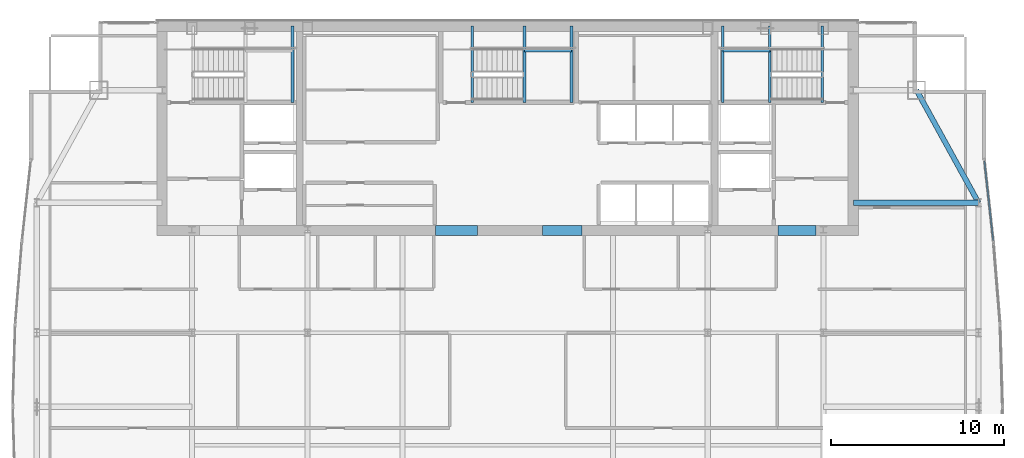
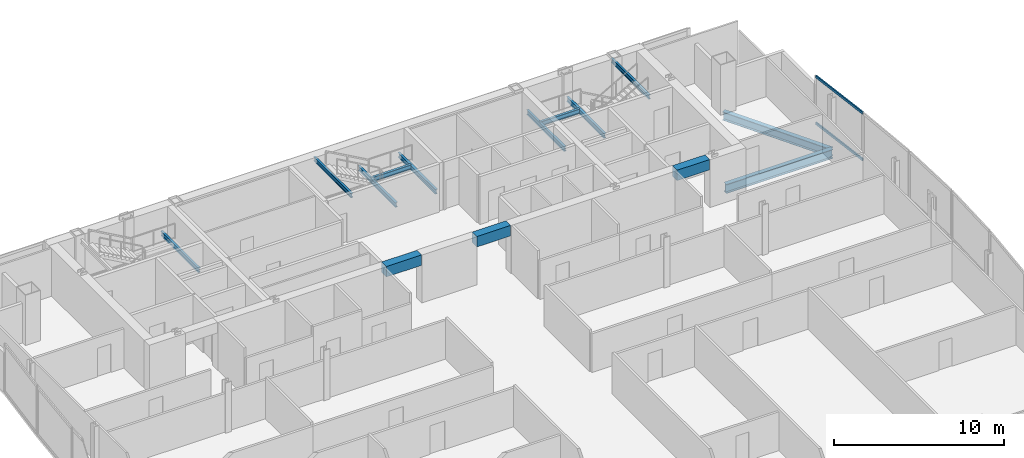
# One storey, part 21 of 29: 14 beams, 2 members, 1 element without a shape of its own.
"""IFC4 building model written with IfcOpenShell, lengths in metres."""

import ifcopenshell
import ifcopenshell.guid

model = None  # the IFC model being written
_history = None  # IfcOwnerHistory: only IFC2X3 demands one
_inside = {}  # id of a spatial element -> (the spatial element, [elements in it])
_under = {}  # id of a project, library or spatial element -> (it, [spatial elements below it])
_declared = {}  # id of a project -> (the project, [libraries it declares])
_typed = {}  # id of a type object -> (the type object, [elements of that type])
_made_of = {}  # id of a material, layer set ... -> (it, [elements and type objects made of it])


def new_model(schema):
    """Start an empty IFC model of exactly this schema.

    Asked for "IFC4X3", IfcOpenShell would pick the latest addendum, in which some entities
    have other attributes; the version numbers below select the first issue.
    IFC2X3 requires an IfcOwnerHistory on every rooted entity: one is made here for all.
    """
    global model, _history
    if schema == "IFC4X3":
        model = ifcopenshell.file(schema_version=(4, 3, 0, 0))
    else:
        model = ifcopenshell.file(schema=schema)
    _inside.clear()
    _under.clear()
    _declared.clear()
    _typed.clear()
    _made_of.clear()
    _history = None
    if model.schema == "IFC2X3":
        org = make("IfcOrganization", Name="unknown")
        user = make(
            "IfcPersonAndOrganization",
            ThePerson=make("IfcPerson", FamilyName="unknown"),
            TheOrganization=org,
        )
        app = make(
            "IfcApplication",
            ApplicationDeveloper=org,
            Version="unknown",
            ApplicationFullName="unknown",
            ApplicationIdentifier="unknown",
        )
        _history = make(
            "IfcOwnerHistory",
            OwningUser=user,
            OwningApplication=app,
            ChangeAction="ADDED",
            CreationDate=0,
        )
    return model


def make(cls, **values):
    """One entity of the class cls with the attributes given. An attribute that is None is left unset."""
    return model.create_entity(
        cls, **{name: value for name, value in values.items() if value is not None}
    )


def rooted(cls, **values):
    """An entity with a GlobalId (a new one), such as an element, a storey or a relation."""
    return make(cls, GlobalId=ifcopenshell.guid.new(), OwnerHistory=_history, **values)


def si_unit(unit_type, name, prefix=None):
    """IfcSIUnit, for example si_unit("LENGTHUNIT", "METRE", prefix="MILLI")."""
    return make("IfcSIUnit", UnitType=unit_type, Prefix=prefix, Name=name)


def assignment(units):
    """IfcUnitAssignment: the units of a project."""
    return None if units is None else make("IfcUnitAssignment", Units=units)


def point(xyz):
    """IfcCartesianPoint."""
    return None if xyz is None else make("IfcCartesianPoint", Coordinates=xyz)


def direction(xyz):
    """IfcDirection."""
    return None if xyz is None else make("IfcDirection", DirectionRatios=xyz)


def frame(location, z_axis=None, x_axis=None):
    """IfcAxis2Placement3D, a coordinate frame: its origin and axes. An axis left out is left unset."""
    return make(
        "IfcAxis2Placement3D",
        Location=point(location),
        Axis=direction(z_axis),
        RefDirection=direction(x_axis),
    )


def frame_2d(location, x_axis=None):
    """IfcAxis2Placement2D, a coordinate frame in the plane: its origin and x axis."""
    return make(
        "IfcAxis2Placement2D", Location=point(location), RefDirection=direction(x_axis)
    )


def origin():
    """The frame at (0, 0, 0) with its axes left unset."""
    return frame((0.0, 0.0, 0.0))


def origin_2d():
    """The frame at (0, 0) in the plane with its x axis left unset."""
    return frame_2d((0.0, 0.0))


def place(relative_to, where):
    """IfcLocalPlacement: puts the frame where relative to a parent placement (None: the world)."""
    return make(
        "IfcLocalPlacement", PlacementRelTo=relative_to, RelativePlacement=where
    )


def context(
    kind, dimensions, precision=None, world=None, true_north=None, identifier=None
):
    """IfcGeometricRepresentationContext, for example the 3D "Model" context."""
    return make(
        "IfcGeometricRepresentationContext",
        ContextIdentifier=identifier,
        ContextType=kind,
        CoordinateSpaceDimension=dimensions,
        Precision=precision,
        WorldCoordinateSystem=world,
        TrueNorth=true_north,
    )


def subcontext(parent, identifier, kind, view, scale=None):
    """IfcGeometricRepresentationSubContext, for example "Body" below "Model"."""
    return make(
        "IfcGeometricRepresentationSubContext",
        ContextIdentifier=identifier,
        ContextType=kind,
        ParentContext=parent,
        TargetScale=scale,
        TargetView=view,
    )


def project(units=None, contexts=None):
    """IfcProject with its units and contexts."""
    return rooted(
        "IfcProject",
        Name="project",
        RepresentationContexts=contexts,
        UnitsInContext=assignment(units),
    )


def spatial(cls, under=None, at=None, **own):
    """A site, building, storey or space (cls), placed at a placement, below another one or the project."""
    s = rooted(cls, ObjectPlacement=at, **own)
    if under is not None:
        _under.setdefault(under.id(), (under, []))[1].append(s)
    return s


def profile(cls, at=None, kind="AREA", **sizes):
    """A parametric profile (cls). Its sizes go by their IFC names, for example OverallWidth=200.0."""
    return make(cls, ProfileType=kind, Position=at, **sizes)


def rectangle(**sizes):
    """IfcRectangleProfileDef."""
    return profile("IfcRectangleProfileDef", **sizes)


def hollow_rectangle(**sizes):
    """IfcRectangleHollowProfileDef."""
    return profile("IfcRectangleHollowProfileDef", **sizes)


def i_section(**sizes):
    """IfcIShapeProfileDef."""
    return profile("IfcIShapeProfileDef", **sizes)


def extrude(swept, where, along, depth):
    """IfcExtrudedAreaSolid: the profile swept, set in the frame where, extruded along a direction by depth."""
    return make(
        "IfcExtrudedAreaSolid",
        SweptArea=swept,
        Position=where,
        ExtrudedDirection=direction(along),
        Depth=depth,
    )


def shape(context_of_items, identifier, shape_type, items):
    """IfcShapeRepresentation: the items that make up one representation, for example the "Body"."""
    return make(
        "IfcShapeRepresentation",
        ContextOfItems=context_of_items,
        RepresentationIdentifier=identifier,
        RepresentationType=shape_type,
        Items=items,
    )


def material(Name=None, Category=None):
    """IfcMaterial."""
    return make("IfcMaterial", Name=Name, Category=Category)


def material_profile(
    of_material, cross_section, Name=None, Category=None, Priority=None
):
    """IfcMaterialProfile: a cross section and its material."""
    return make(
        "IfcMaterialProfile",
        Name=Name,
        Material=of_material,
        Profile=cross_section,
        Priority=Priority,
        Category=Category,
    )


def profile_set(profiles, Name=None, composite=None):
    """IfcMaterialProfileSet."""
    return make(
        "IfcMaterialProfileSet",
        Name=Name,
        MaterialProfiles=profiles,
        CompositeProfile=composite,
    )


def made_of(thing, what):
    """Note that an element or type object is made of a material, layer set ...; save() writes the relation."""
    if what is not None:
        _made_of.setdefault(what.id(), (what, []))[1].append(thing)
    return thing


def type_object(cls, material=None, **own):
    """A type object (cls), such as IfcWallType, which elements share."""
    return made_of(rooted(cls, **own), material)


def element(
    cls,
    number,
    at=None,
    inside=None,
    cuts=None,
    type_object=None,
    material=None,
    context=None,
    identifier="Body",
    shape_type=None,
    held_by="IfcProductDefinitionShape",
    body=None,
    shapes=None,
    **own,
):
    """One element of the class cls, such as IfcWall. Its Tag is "e" and its number.

    at: its placement. inside: the storey or other place that contains it. cuts: it is an
    opening in that element (IfcRelVoidsElement). A single representation is given by context,
    identifier, shape_type and body (its items); several are given by shapes. held_by: the class
    of the entity that holds the representations. save() writes the other relations.
    """
    e = rooted(cls, Tag="e%d" % number, ObjectPlacement=at, **own)
    if body is not None:
        shapes = [shape(context, identifier, shape_type, body)]
    if shapes is not None:
        e.Representation = make(held_by, Representations=shapes)
    if inside is not None:
        _inside.setdefault(inside.id(), (inside, []))[1].append(e)
    if cuts is not None:
        rooted(
            "IfcRelVoidsElement", RelatingBuildingElement=cuts, RelatedOpeningElement=e
        )
    if type_object is not None:
        _typed.setdefault(type_object.id(), (type_object, []))[1].append(e)
    return made_of(e, material)


def aggregate(whole, parts):
    """IfcRelAggregates: a whole, such as a stair, and the parts it consists of."""
    return rooted("IfcRelAggregates", RelatingObject=whole, RelatedObjects=parts)


def save(model, path):
    """Write the relations noted so far, then the file.

    IfcRelAggregates (storeys below a building ...), IfcRelContainedInSpatialStructure (elements
    in a storey), IfcRelDefinesByType, IfcRelAssociatesMaterial and IfcRelDeclares: one each for
    every whole, place, type object, material and project.
    """
    for whole, parts in _under.values():
        aggregate(whole, parts)
    for where, things in _inside.values():
        rooted(
            "IfcRelContainedInSpatialStructure",
            RelatedElements=things,
            RelatingStructure=where,
        )
    for kind, things in _typed.values():
        rooted("IfcRelDefinesByType", RelatedObjects=things, RelatingType=kind)
    for what, things in _made_of.values():
        rooted("IfcRelAssociatesMaterial", RelatedObjects=things, RelatingMaterial=what)
    for by, libraries in _declared.values():
        rooted("IfcRelDeclares", RelatingContext=by, RelatedDefinitions=libraries)
    model.write(path)


model = new_model("IFC4")

# Units and contexts
model_context = context("Model", 3, precision=1e-05, world=origin(), true_north=direction((0.0, 1.0)))
body_context = subcontext(model_context, "Body", "Model", "MODEL_VIEW")
ifc_project = project(units=[si_unit("LENGTHUNIT", "METRE"), si_unit("AREAUNIT", "SQUARE_METRE"), si_unit("VOLUMEUNIT", "CUBIC_METRE"), si_unit("PLANEANGLEUNIT", "RADIAN"), si_unit("MASSUNIT", "GRAM", prefix="KILO")], contexts=[model_context])

# Site, building, storey
site_placement = place(None, origin())
site = spatial("IfcSite", under=ifc_project, at=site_placement, CompositionType="ELEMENT")
building_placement = place(site_placement, origin())
building = spatial("IfcBuilding", under=site, at=building_placement, Name="Khoronbel Lancet Exchange", CompositionType="ELEMENT")
storey_placement = place(building_placement, frame((0.0, 0.0, 246.199951171875)))
storey = spatial("IfcBuildingStorey", under=building, at=storey_placement, Name="L63", CompositionType="ELEMENT", Elevation=246.199951171875)

# Beams
ifc_material_1 = material(Name="Steel S355", Category="steel")
ifc_material_profile_1 = material_profile(ifc_material_1, i_section(OverallWidth=0.300048828125, OverallDepth=0.64990234375, WebThickness=0.01611328125, FlangeThickness=0.031005859375, at=origin_2d()), Name="HEB 650")
ifc_profile_set_1 = profile_set([ifc_material_profile_1], Name="Steel S355")
beam_type_1 = type_object("IfcBeamType", Name="BM-BG4", PredefinedType="BEAM", material=ifc_profile_set_1)
beam_1_placement = place(storey_placement, frame((56.39990234375, 43.199951171875, -0.48486328125), z_axis=(1.0, 0.0, 0.0), x_axis=(0.0, 1.0, 0.0)))
element("IfcBeam", 1, at=beam_1_placement, inside=storey, type_object=beam_type_1, Name="Level L63 east lens tie girder LG3E", PredefinedType="BEAM", context=body_context, shape_type="SweptSolid", body=[
    extrude(i_section(OverallWidth=0.300048828125, OverallDepth=0.64990234375, WebThickness=0.01611328125, FlangeThickness=0.031005859375, at=origin_2d()), origin(), (0.0, 0.0, 1.0), 7.22998046875),
])
ifc_material_profile_2 = material_profile(ifc_material_1, i_section(OverallWidth=0.159912109375, OverallDepth=0.330078125, WebThickness=0.007568359375, FlangeThickness=0.011474609375, at=origin_2d()), Name="IPE 330")
ifc_profile_set_2 = profile_set([ifc_material_profile_2], Name="Steel S355")
beam_type_2 = type_object("IfcBeamType", Name="BM-BJ7", PredefinedType="JOIST", material=ifc_profile_set_2)
for number, where, z_axis, x_axis, name in (
    (2, (24.030029296875, 48.97998046875, 1.43505859375), (0.0, 1.0, 0.0), (-1.0, 0.0, 0.0), "Level L63 stair ST1 rear landing bearer beam 1"),
    (3, (51.580078125, 48.97998046875, 1.43505859375), (0.0, 1.0, 0.0), (-1.0, 0.0, 0.0), "Level L63 stair ST2 landing bearer beam 1"),
    (4, (48.8701171875, 48.97998046875, 1.43505859375), (0.0, 1.0, 0.0), (-1.0, 0.0, 0.0), "Level L63 stair ST2 rear landing bearer beam 1"),
):
    element("IfcBeam", number, at=place(storey_placement, frame(where, z_axis=z_axis, x_axis=x_axis)), inside=storey, type_object=beam_type_2, Name=name, PredefinedType="JOIST", context=body_context, shape_type="SweptSolid", body=[
        extrude(i_section(OverallWidth=0.159912109375, OverallDepth=0.330078125, WebThickness=0.007568359375, FlangeThickness=0.011474609375, at=origin_2d()), origin(), (0.0, 0.0, 1.0), 4.419921875),
    ])
beam_2_placement = place(storey_placement, frame((48.8701171875, 51.97998046875, 1.43505859375), z_axis=(1.0, 0.0, 0.0), x_axis=(0.0, 1.0, 0.0)))
element("IfcBeam", 5, at=beam_2_placement, inside=storey, type_object=beam_type_2, Name="Level L63 stair ST2 landing cross trimmer beam 1", PredefinedType="JOIST", context=body_context, shape_type="SweptSolid", body=[
    extrude(i_section(OverallWidth=0.159912109375, OverallDepth=0.330078125, WebThickness=0.007568359375, FlangeThickness=0.011474609375, at=origin_2d()), origin(), (0.0, 0.0, 1.0), 2.7099609375),
])
for number, where, z_axis, x_axis, name in (
    (6, (37.419921875, 48.97998046875, 1.43505859375), (0.0, 1.0, 0.0), (-1.0, 0.0, 0.0), "Level L63 stair ST3 landing bearer beam 1"),
    (7, (40.1298828125, 48.97998046875, 1.43505859375), (0.0, 1.0, 0.0), (-1.0, 0.0, 0.0), "Level L63 stair ST3 rear landing bearer beam 1"),
):
    element("IfcBeam", number, at=place(storey_placement, frame(where, z_axis=z_axis, x_axis=x_axis)), inside=storey, type_object=beam_type_2, Name=name, PredefinedType="JOIST", context=body_context, shape_type="SweptSolid", body=[
        extrude(i_section(OverallWidth=0.159912109375, OverallDepth=0.330078125, WebThickness=0.007568359375, FlangeThickness=0.011474609375, at=origin_2d()), origin(), (0.0, 0.0, 1.0), 4.419921875),
    ])
beam_3_placement = place(storey_placement, frame((37.419921875, 51.97998046875, 1.43505859375), z_axis=(1.0, 0.0, 0.0), x_axis=(0.0, 1.0, 0.0)))
element("IfcBeam", 8, at=beam_3_placement, inside=storey, type_object=beam_type_2, Name="Level L63 stair ST3 landing cross trimmer beam 1", PredefinedType="JOIST", context=body_context, shape_type="SweptSolid", body=[
    extrude(i_section(OverallWidth=0.159912109375, OverallDepth=0.330078125, WebThickness=0.007568359375, FlangeThickness=0.011474609375, at=origin_2d()), origin(), (0.0, 0.0, 1.0), 2.7099609375),
])
ifc_material_profile_3 = material_profile(ifc_material_1, i_section(OverallWidth=0.14990234375, OverallDepth=0.300048828125, WebThickness=0.007080078125, FlangeThickness=0.0107421875, at=origin_2d()), Name="IPE 300")
ifc_profile_set_3 = profile_set([ifc_material_profile_3], Name="Steel S355")
beam_type_3 = type_object("IfcBeamType", Name="BM-BJ8", PredefinedType="JOIST", material=ifc_profile_set_3)
for number, where, z_axis, x_axis, name in (
    (9, (54.60009765625, 48.97998046875, 3.16015625), (0.0, 1.0, 0.0), (-1.0, 0.0, 0.0), "Level L63 stair ST2 upper-flight arrival trimmer beam"),
    (10, (34.39990234375, 48.97998046875, 3.16015625), (0.0, 1.0, 0.0), (-1.0, 0.0, 0.0), "Level L63 stair ST3 upper-flight arrival trimmer beam"),
):
    element("IfcBeam", number, at=place(storey_placement, frame(where, z_axis=z_axis, x_axis=x_axis)), inside=storey, type_object=beam_type_3, Name=name, PredefinedType="JOIST", context=body_context, shape_type="SweptSolid", body=[
        extrude(i_section(OverallWidth=0.14990234375, OverallDepth=0.300048828125, WebThickness=0.007080078125, FlangeThickness=0.0107421875, at=origin_2d()), origin(), (0.0, 0.0, 1.0), 4.419921875),
    ])
ifc_material_2 = material(Name="Concrete C60/75", Category="concrete")
ifc_material_profile_4 = material_profile(ifc_material_2, rectangle(XDim=0.550048828125, YDim=0.75, at=origin_2d()), Name="RC 550x750")
ifc_profile_set_4 = profile_set([ifc_material_profile_4], Name="Concrete C60/75")
beam_type_4 = type_object("IfcBeamType", Name="BM-BL2", PredefinedType="LINTEL", material=ifc_profile_set_4)
beam_4_placement = place(storey_placement, frame((32.300048828125, 41.60009765625, 3.06494140625), z_axis=(1.0, 0.0, 0.0), x_axis=(0.0, 1.0, 0.0)))
element("IfcBeam", 11, at=beam_4_placement, inside=storey, type_object=beam_type_4, Name="Level L63 rear core coupling lintel L2", PredefinedType="LINTEL", context=body_context, shape_type="SweptSolid", body=[
    extrude(rectangle(XDim=0.550048828125, YDim=0.75, at=origin_2d()), origin(), (0.0, 0.0, 1.0), 2.39990234375),
])
beam_5_placement = place(storey_placement, frame((38.449951171875, 41.60009765625, 3.06494140625), z_axis=(1.0, 0.0, 0.0), x_axis=(0.0, 1.0, 0.0)))
element("IfcBeam", 12, at=beam_5_placement, inside=storey, type_object=beam_type_4, Name="Level L63 rear core coupling lintel L3", PredefinedType="LINTEL", context=body_context, shape_type="SweptSolid", body=[
    extrude(rectangle(XDim=0.550048828125, YDim=0.75, at=origin_2d()), origin(), (0.0, 0.0, 1.0), 2.300048828125),
])
beam_6_placement = place(storey_placement, frame((52.050048828125, 41.60009765625, 3.06494140625), z_axis=(1.0, 0.0, 0.0), x_axis=(0.0, 1.0, 0.0)))
element("IfcBeam", 13, at=beam_6_placement, inside=storey, type_object=beam_type_4, Name="Level L63 rear core coupling lintel L4", PredefinedType="LINTEL", context=body_context, shape_type="SweptSolid", body=[
    extrude(rectangle(XDim=0.550048828125, YDim=0.75, at=origin_2d()), origin(), (0.0, 0.0, 1.0), 2.199951171875),
])
ifc_material_profile_5 = material_profile(ifc_material_1, i_section(OverallWidth=0.300048828125, OverallDepth=0.60009765625, WebThickness=0.015380859375, FlangeThickness=0.030029296875, at=origin_2d()), Name="HEB 600")
ifc_profile_set_5 = profile_set([ifc_material_profile_5], Name="Steel S355")
beam_type_5 = type_object("IfcBeamType", Name="BM-BSP2", PredefinedType="SPANDREL", material=ifc_profile_set_5)
beam_7_placement = place(storey_placement, frame((63.6298828125, 43.199951171875, -0.4599609375), z_axis=(-0.482418808117, 0.875940690672, 0.0), x_axis=(-0.875940690672, -0.482418808117, 0.0)))
element("IfcBeam", 14, at=beam_7_placement, inside=storey, type_object=beam_type_5, Name="Level L63 perimeter spandrel beam SP15", PredefinedType="SPANDREL", context=body_context, shape_type="SweptSolid", body=[
    extrude(i_section(OverallWidth=0.300048828125, OverallDepth=0.60009765625, WebThickness=0.015380859375, FlangeThickness=0.030029296875, at=origin_2d()), origin(), (0.0, 0.0, 1.0), 7.420654296875),
])

# Curtain wall, members
ifc_material_3 = material(Name="Low-E Solar Control Insulating Glass", Category="glass")
curtain_wall_type = type_object("IfcCurtainWallType", Name="CW-4", PredefinedType="NOTDEFINED", material=ifc_material_3)
curtain_wall_placement = place(storey_placement, origin())
curtain_wall = element("IfcCurtainWall", 15, at=curtain_wall_placement, inside=storey, type_object=curtain_wall_type, Name="Unitised curtain wall CW-L63-E17", PredefinedType="NOTDEFINED")
ifc_material_4 = material(Name="Bronze-Anodised Aluminium 6063-T6", Category="aluminium")
ifc_material_profile_6 = material_profile(ifc_material_4, hollow_rectangle(XDim=0.0849609375, YDim=0.179931640625, WallThickness=0.0048828125, at=origin_2d()), Name="ALU TRANSOM 85x180")
ifc_profile_set_6 = profile_set([ifc_material_profile_6], Name="Bronze-Anodised Aluminium 6063-T6")
member_type = type_object("IfcMemberType", Name="MEM-CWT1", PredefinedType="USERDEFINED", material=ifc_profile_set_6)
member_1_placement = place(storey_placement, frame((63.96826171875, 45.620361328125, 0.04248046875), z_axis=(0.109829937442, -0.993950393552, 0.0), x_axis=(0.993950393552, 0.109829937442, 0.0)))
member_1 = element("IfcMember", 16, at=member_1_placement, type_object=member_type, Name="CW4 transom 1.1", ObjectType="TRANSOM", PredefinedType="USERDEFINED", context=body_context, shape_type="SweptSolid", body=[
    extrude(hollow_rectangle(XDim=0.0849609375, YDim=0.179931640625, WallThickness=0.0048828125, at=origin_2d()), origin(), (0.0, 0.0, 1.0), 4.632568359375),
])
member_2_placement = place(storey_placement, frame((63.96826171875, 45.620361328125, 3.3974609375), z_axis=(0.109829937442, -0.993950393552, 0.0), x_axis=(0.993950393552, 0.109829937442, 0.0)))
member_2 = element("IfcMember", 17, at=member_2_placement, type_object=member_type, Name="CW4 transom 1.2", ObjectType="TRANSOM", PredefinedType="USERDEFINED", context=body_context, shape_type="SweptSolid", body=[
    extrude(hollow_rectangle(XDim=0.0849609375, YDim=0.179931640625, WallThickness=0.0048828125, at=origin_2d()), origin(), (0.0, 0.0, 1.0), 4.632568359375),
])
aggregate(curtain_wall, [member_1, member_2])

save(model, "model.ifc")
